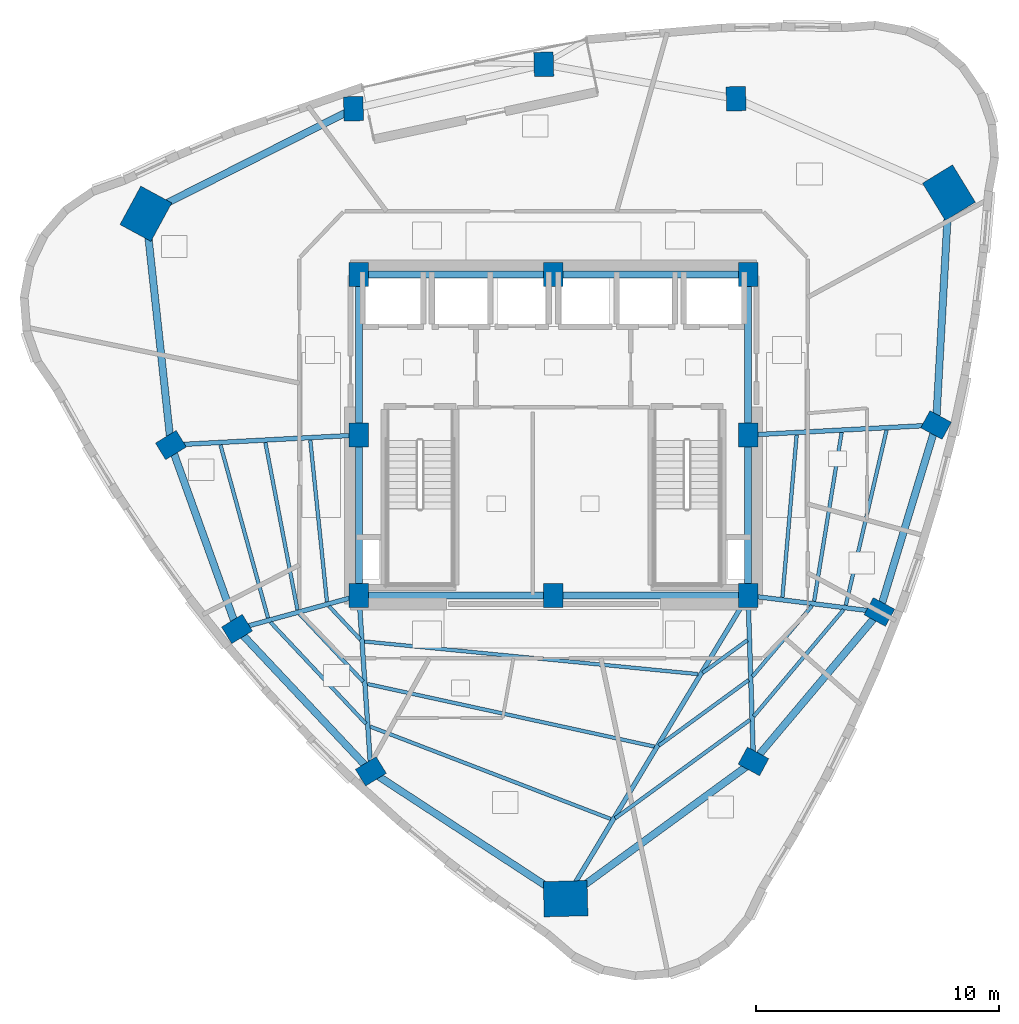
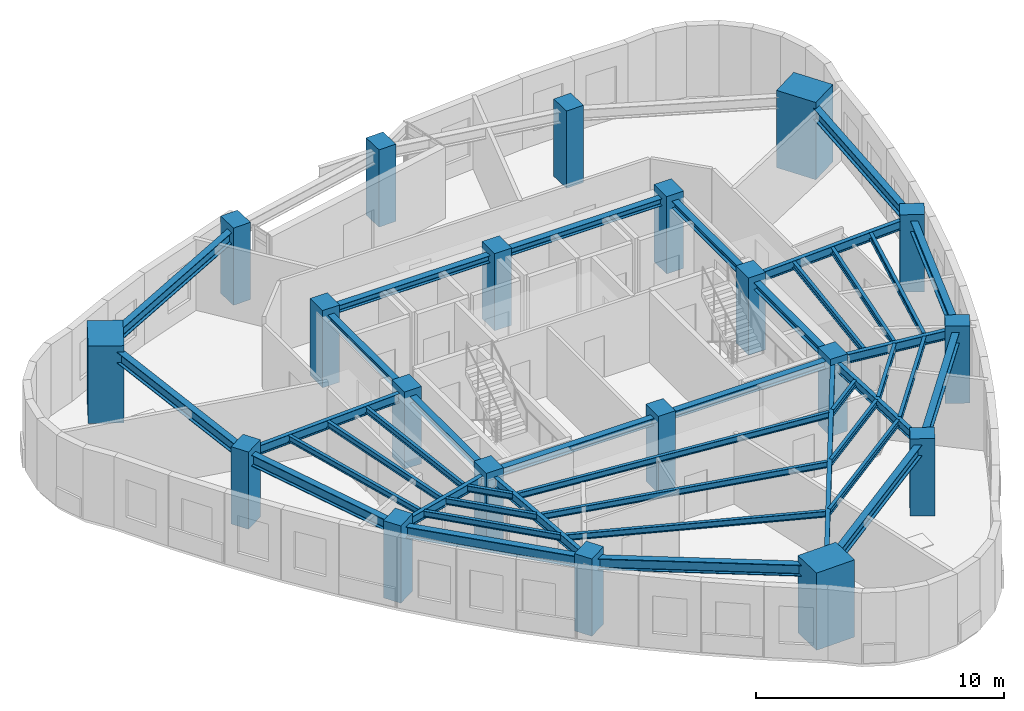
# One storey, part 1 of 10: 41 beams, 20 columns.
"""IFC4 building model written with IfcOpenShell, lengths in metres."""

from ifc_helpers import new_model, si_unit, direction, frame, origin, origin_2d, place, context, subcontext, project, spatial, rectangle, i_section, extrude, material, material_profile, profile_set, type_object, element, save


model = new_model("IFC4")

# Units and contexts
model_context = context("Model", 3, precision=1e-05, world=origin(), true_north=direction((0.0, 1.0)))
body_context = subcontext(model_context, "Body", "Model", "MODEL_VIEW")
ifc_project = project(units=[si_unit("LENGTHUNIT", "METRE"), si_unit("AREAUNIT", "SQUARE_METRE"), si_unit("VOLUMEUNIT", "CUBIC_METRE"), si_unit("PLANEANGLEUNIT", "RADIAN"), si_unit("MASSUNIT", "GRAM", prefix="KILO")], contexts=[model_context])

# Site, building, storey
site_placement = place(None, origin())
site = spatial("IfcSite", under=ifc_project, at=site_placement, CompositionType="ELEMENT")
building_placement = place(site_placement, origin())
building = spatial("IfcBuilding", under=site, at=building_placement, Name="Ndelora Gate Hotel", CompositionType="ELEMENT")
storey_placement = place(building_placement, frame((0.0, 0.0, 251.14990234375)))
storey = spatial("IfcBuildingStorey", under=building, at=storey_placement, Name="L63", CompositionType="ELEMENT", Elevation=251.14990234375)

# Columns
ifc_material_1 = material(Name="Concrete C50/60", Category="concrete")
ifc_material_profile_1 = material_profile(ifc_material_1, rectangle(XDim=0.800048828125, YDim=1.0, at=origin_2d()), Name="RC 1000x800")
ifc_profile_set_1 = profile_set([ifc_material_profile_1], Name="Concrete C50/60")
column_type_1 = type_object("IfcColumnType", Name="COL-CC-HI", PredefinedType="COLUMN", material=ifc_profile_set_1)
for number, where, z_axis, x_axis, name in (
    (1, (-8.0, -6.60009765625, 0.0), (0.0, 0.0, 1.0), (1.0, 0.0, 0.0), "L63 Core Column CC1"),
    (2, (0.0, -6.60009765625, 0.0), (0.0, 0.0, 1.0), (1.0, 0.0, 0.0), "L63 Core Column CC2"),
    (3, (8.0, -6.60009765625, 0.0), (0.0, 0.0, 1.0), (1.0, 0.0, 0.0), "L63 Core Column CC3"),
    (4, (8.0, 0.0, 0.0), (0.0, 0.0, 1.0), (1.0, 0.0, 0.0), "L63 Core Column CC4"),
    (5, (8.0, 6.60009765625, 0.0), (0.0, 0.0, 1.0), (1.0, 0.0, 0.0), "L63 Core Column CC5"),
    (6, (0.0, 6.60009765625, 0.0), (0.0, 0.0, 1.0), (1.0, 0.0, 0.0), "L63 Core Column CC6"),
    (7, (-8.0, 6.60009765625, 0.0), (0.0, 0.0, 1.0), (1.0, 0.0, 0.0), "L63 Core Column CC7"),
    (8, (-8.0, 0.0, 0.0), (0.0, 0.0, 1.0), (1.0, 0.0, 0.0), "L63 Core Column CC8"),
):
    element("IfcColumn", number, at=place(storey_placement, frame(where, z_axis=z_axis, x_axis=x_axis)), inside=storey, type_object=column_type_1, Name=name, PredefinedType="COLUMN", context=body_context, shape_type="SweptSolid", body=[
        extrude(rectangle(XDim=0.800048828125, YDim=1.0, at=origin_2d()), origin(), (0.0, 0.0, 1.0), 3.800048828125),
    ])
ifc_material_profile_2 = material_profile(ifc_material_1, rectangle(XDim=1.449951171875, YDim=1.800048828125, at=origin_2d()), Name="RC 1800x1450")
ifc_profile_set_2 = profile_set([ifc_material_profile_2], Name="Concrete C50/60")
column_type_2 = type_object("IfcColumnType", Name="COL-MC-Z3", PredefinedType="COLUMN", material=ifc_profile_set_2)
for number, where, z_axis, x_axis, name in (
    (9, (-16.759521484375, 9.099609375, 0.0), (0.0, 0.0, 1.0), (-0.878817112662, 0.47715876026, 0.0), "L63 Corner Mega-Column R1"),
    (10, (0.499267578125, -19.064208984375, 0.0), (0.0, 0.0, 1.0), (-0.026176948308, 0.999657324976, 0.0), "L63 Corner Mega-Column R5"),
    (11, (16.26025390625, 9.96435546875, 0.0), (0.0, 0.0, 1.0), (0.852640164354, 0.522498564716, 0.0), "L63 Corner Mega-Column R9"),
):
    element("IfcColumn", number, at=place(storey_placement, frame(where, z_axis=z_axis, x_axis=x_axis)), inside=storey, type_object=column_type_2, Name=name, PredefinedType="COLUMN", context=body_context, shape_type="SweptSolid", body=[
        extrude(rectangle(XDim=1.449951171875, YDim=1.800048828125, at=origin_2d()), origin(), (0.0, 0.0, 1.0), 3.800048828125),
    ])
ifc_material_profile_3 = material_profile(ifc_material_1, rectangle(XDim=0.800048828125, YDim=1.0, at=origin_2d()), Name="RC 1000x800")
ifc_profile_set_3 = profile_set([ifc_material_profile_3], Name="Concrete C50/60")
column_type_3 = type_object("IfcColumnType", Name="COL-PT-Z3", PredefinedType="COLUMN", material=ifc_profile_set_3)
for number, where, z_axis, x_axis, name in (
    (12, (-15.72998046875, -0.411865234375, 0.0), (0.0, 0.0, 1.0), (-0.522498564716, 0.852640164354, 0.0), "L63 Perimeter Tube Column R2"),
    (13, (-13.011962890625, -7.973876953125, 0.0), (0.0, 0.0, 1.0), (-0.522498564716, 0.852640164354, 0.0), "L63 Perimeter Tube Column R3"),
    (14, (-7.50830078125, -13.828369140625, 0.0), (0.0, 0.0, 1.0), (-0.522498564716, 0.852640164354, 0.0), "L63 Perimeter Tube Column R4"),
    (15, (8.223876953125, -13.419921875, 0.0), (0.0, 0.0, 1.0), (0.47715876026, 0.878817112662, 0.0), "L63 Perimeter Tube Column R6"),
    (16, (13.400390625, -7.275634765625, 0.0), (0.0, 0.0, 1.0), (0.47715876026, 0.878817112662, 0.0), "L63 Perimeter Tube Column R7"),
    (17, (15.72998046875, 0.411865234375, 0.0), (0.0, 0.0, 1.0), (0.47715876026, 0.878817112662, 0.0), "L63 Perimeter Tube Column R8"),
    (18, (7.50830078125, 13.828369140625, 0.0), (0.0, 0.0, 1.0), (0.999657324976, 0.026176948308, 0.0), "L63 Perimeter Tube Column R10"),
    (19, (-0.399169921875, 15.242919921875, 0.0), (0.0, 0.0, 1.0), (0.999657324976, 0.026176948308, 0.0), "L63 Perimeter Tube Column R11"),
    (20, (-8.2216796875, 13.41650390625, 0.0), (0.0, 0.0, 1.0), (0.999657324976, 0.026176948308, 0.0), "L63 Perimeter Tube Column R12"),
):
    element("IfcColumn", number, at=place(storey_placement, frame(where, z_axis=z_axis, x_axis=x_axis)), inside=storey, type_object=column_type_3, Name=name, PredefinedType="COLUMN", context=body_context, shape_type="SweptSolid", body=[
        extrude(rectangle(XDim=0.800048828125, YDim=1.0, at=origin_2d()), origin(), (0.0, 0.0, 1.0), 3.800048828125),
    ])

# Beams
ifc_material_2 = material(Name="Steel S355", Category="steel")
ifc_material_profile_4 = material_profile(ifc_material_2, i_section(OverallWidth=0.300048828125, OverallDepth=0.35009765625, WebThickness=0.010009765625, FlangeThickness=0.017578125, FilletRadius=0.027099609375, at=origin_2d()), Name="HEA 360")
ifc_profile_set_4 = profile_set([ifc_material_profile_4], Name="Steel S355")
beam_type_1 = type_object("IfcBeamType", Name="BM-CORE-350", PredefinedType="BEAM", material=ifc_profile_set_4)
for number, where, z_axis, x_axis, name in (
    (21, (-8.0, 6.60009765625, 3.315185546875), (1.0, 0.0, 0.0), (0.0, 1.0, 0.0), "L63 Core Tie Girder CC7-CC6"),
    (22, (0.0, 6.60009765625, 3.315185546875), (1.0, 0.0, 0.0), (0.0, 1.0, 0.0), "L63 Core Tie Girder CC6-CC5"),
):
    element("IfcBeam", number, at=place(storey_placement, frame(where, z_axis=z_axis, x_axis=x_axis)), inside=storey, type_object=beam_type_1, Name=name, PredefinedType="BEAM", context=body_context, shape_type="SweptSolid", body=[
        extrude(i_section(OverallWidth=0.300048828125, OverallDepth=0.35009765625, WebThickness=0.010009765625, FlangeThickness=0.017578125, FilletRadius=0.027099609375, at=origin_2d()), origin(), (0.0, 0.0, 1.0), 8.0),
    ])
for number, where, z_axis, x_axis, name in (
    (23, (-8.0, -6.60009765625, 3.315185546875), (0.0, 1.0, 0.0), (-1.0, 0.0, 0.0), "L63 Core Tie Girder CC1-CC8"),
    (24, (-8.0, 0.0, 3.315185546875), (0.0, 1.0, 0.0), (-1.0, 0.0, 0.0), "L63 Core Tie Girder CC8-CC7"),
    (25, (8.0, -6.60009765625, 3.315185546875), (0.0, 1.0, 0.0), (-1.0, 0.0, 0.0), "L63 Core Tie Girder CC3-CC4"),
    (26, (8.0, 0.0, 3.315185546875), (0.0, 1.0, 0.0), (-1.0, 0.0, 0.0), "L63 Core Tie Girder CC4-CC5"),
):
    element("IfcBeam", number, at=place(storey_placement, frame(where, z_axis=z_axis, x_axis=x_axis)), inside=storey, type_object=beam_type_1, Name=name, PredefinedType="BEAM", context=body_context, shape_type="SweptSolid", body=[
        extrude(i_section(OverallWidth=0.300048828125, OverallDepth=0.35009765625, WebThickness=0.010009765625, FlangeThickness=0.017578125, FilletRadius=0.027099609375, at=origin_2d()), origin(), (0.0, 0.0, 1.0), 6.60009765625),
    ])
for number, where, z_axis, x_axis, name in (
    (27, (-8.0, -6.60009765625, 3.315185546875), (1.0, 0.0, 0.0), (0.0, 1.0, 0.0), "L63 Core Tie Girder CC1-CC2"),
    (28, (0.0, -6.60009765625, 3.315185546875), (1.0, 0.0, 0.0), (0.0, 1.0, 0.0), "L63 Core Tie Girder CC2-CC3"),
):
    element("IfcBeam", number, at=place(storey_placement, frame(where, z_axis=z_axis, x_axis=x_axis)), inside=storey, type_object=beam_type_1, Name=name, PredefinedType="BEAM", context=body_context, shape_type="SweptSolid", body=[
        extrude(i_section(OverallWidth=0.300048828125, OverallDepth=0.35009765625, WebThickness=0.010009765625, FlangeThickness=0.017578125, FilletRadius=0.027099609375, at=origin_2d()), origin(), (0.0, 0.0, 1.0), 8.0),
    ])
ifc_material_profile_5 = material_profile(ifc_material_2, i_section(OverallWidth=0.14990234375, OverallDepth=0.300048828125, WebThickness=0.007080078125, FlangeThickness=0.0107421875, FilletRadius=0.014892578125, at=origin_2d()), Name="IPE 300")
ifc_profile_set_5 = profile_set([ifc_material_profile_5], Name="Steel S355")
beam_type_2 = type_object("IfcBeamType", Name="BM-JST-300", PredefinedType="JOIST", material=ifc_profile_set_5)
beam_1_placement = place(storey_placement, frame((-9.9990234375, -0.21142578125, 3.340087890625), z_axis=(0.10260596827, -0.994722079415, 0.0), x_axis=(0.994722079415, 0.10260596827, 0.0)))
element("IfcBeam", 29, at=beam_1_placement, inside=storey, type_object=beam_type_2, Name="L63 Secondary Composite Floor Joist IN-2", PredefinedType="JOIST", context=body_context, shape_type="SweptSolid", body=[
    extrude(i_section(OverallWidth=0.14990234375, OverallDepth=0.300048828125, WebThickness=0.007080078125, FlangeThickness=0.0107421875, FilletRadius=0.014892578125, at=origin_2d()), origin(), (0.0, 0.0, 1.0), 6.676513671875),
])
beam_2_placement = place(storey_placement, frame((-11.84521484375, -0.30908203125, 3.340087890625), z_axis=(0.188470955684, -0.982078764083, 0.0), x_axis=(0.982078764083, 0.188470955684, 0.0)))
element("IfcBeam", 30, at=beam_2_placement, inside=storey, type_object=beam_type_2, Name="L63 Secondary Composite Floor Joist MID-2", PredefinedType="JOIST", context=body_context, shape_type="SweptSolid", body=[
    extrude(i_section(OverallWidth=0.14990234375, OverallDepth=0.300048828125, WebThickness=0.007080078125, FlangeThickness=0.0107421875, FilletRadius=0.014892578125, at=origin_2d()), origin(), (0.0, 0.0, 1.0), 7.000244140625),
])
beam_3_placement = place(storey_placement, frame((-13.6923828125, -0.406005859375, 3.340087890625), z_axis=(0.2652180483, -0.964188460238, 0.0), x_axis=(0.964188460238, 0.2652180483, 0.0)))
element("IfcBeam", 31, at=beam_3_placement, inside=storey, type_object=beam_type_2, Name="L63 Secondary Composite Floor Joist OUT-2", PredefinedType="JOIST", context=body_context, shape_type="SweptSolid", body=[
    extrude(i_section(OverallWidth=0.14990234375, OverallDepth=0.300048828125, WebThickness=0.007080078125, FlangeThickness=0.0107421875, FilletRadius=0.014892578125, at=origin_2d()), origin(), (0.0, 0.0, 1.0), 7.37353515625),
])
beam_4_placement = place(storey_placement, frame((-9.231201171875, -7.03369140625, 3.340087890625), z_axis=(0.684943115963, -0.728596546722, 0.0), x_axis=(0.728596546722, 0.684943115963, 0.0)))
element("IfcBeam", 32, at=beam_4_placement, inside=storey, type_object=beam_type_2, Name="L63 Secondary Composite Floor Joist IN-3", PredefinedType="JOIST", context=body_context, shape_type="SweptSolid", body=[
    extrude(i_section(OverallWidth=0.14990234375, OverallDepth=0.300048828125, WebThickness=0.007080078125, FlangeThickness=0.0107421875, FilletRadius=0.014892578125, at=origin_2d()), origin(), (0.0, 0.0, 1.0), 1.879150390625),
])
beam_5_placement = place(storey_placement, frame((-10.43408203125, -7.36328125, 3.340087890625), z_axis=(0.684938600536, -0.728600791584, 0.0), x_axis=(0.728600791584, 0.684938600536, 0.0)))
element("IfcBeam", 33, at=beam_5_placement, inside=storey, type_object=beam_type_2, Name="L63 Secondary Composite Floor Joist MID-3", PredefinedType="JOIST", context=body_context, shape_type="SweptSolid", body=[
    extrude(i_section(OverallWidth=0.14990234375, OverallDepth=0.300048828125, WebThickness=0.007080078125, FlangeThickness=0.0107421875, FilletRadius=0.014892578125, at=origin_2d()), origin(), (0.0, 0.0, 1.0), 3.807861328125),
])
beam_6_placement = place(storey_placement, frame((-11.636962890625, -7.693115234375, 3.340087890625), z_axis=(0.68493576734, -0.728603454986, 0.0), x_axis=(0.728603454986, 0.68493576734, 0.0)))
element("IfcBeam", 34, at=beam_6_placement, inside=storey, type_object=beam_type_2, Name="L63 Secondary Composite Floor Joist OUT-3", PredefinedType="JOIST", context=body_context, shape_type="SweptSolid", body=[
    extrude(i_section(OverallWidth=0.14990234375, OverallDepth=0.300048828125, WebThickness=0.007080078125, FlangeThickness=0.0107421875, FilletRadius=0.014892578125, at=origin_2d()), origin(), (0.0, 0.0, 1.0), 5.736328125),
])
beam_7_placement = place(storey_placement, frame((-7.767578125, -8.489501953125, 3.340087890625), z_axis=(0.995253727902, -0.097314012848, 0.0), x_axis=(0.097314012848, 0.995253727902, 0.0)))
element("IfcBeam", 35, at=beam_7_placement, inside=storey, type_object=beam_type_2, Name="L63 Secondary Composite Floor Joist IN-4", PredefinedType="JOIST", context=body_context, shape_type="SweptSolid", body=[
    extrude(i_section(OverallWidth=0.14990234375, OverallDepth=0.300048828125, WebThickness=0.007080078125, FlangeThickness=0.0107421875, FilletRadius=0.014892578125, at=origin_2d()), origin(), (0.0, 0.0, 1.0), 13.7783203125),
])
beam_8_placement = place(storey_placement, frame((-7.651611328125, -10.236572265625, 3.340087890625), z_axis=(0.977032906758, -0.213088477191, 0.0), x_axis=(0.213088477191, 0.977032906758, 0.0)))
element("IfcBeam", 36, at=beam_8_placement, inside=storey, type_object=beam_type_2, Name="L63 Secondary Composite Floor Joist MID-4", PredefinedType="JOIST", context=body_context, shape_type="SweptSolid", body=[
    extrude(i_section(OverallWidth=0.14990234375, OverallDepth=0.300048828125, WebThickness=0.007080078125, FlangeThickness=0.0107421875, FilletRadius=0.014892578125, at=origin_2d()), origin(), (0.0, 0.0, 1.0), 12.075927734375),
])
beam_9_placement = place(storey_placement, frame((-7.5380859375, -11.98681640625, 3.340087890625), z_axis=(0.933489266504, -0.358605339227, 0.0), x_axis=(0.358605339227, 0.933489266504, 0.0)))
element("IfcBeam", 37, at=beam_9_placement, inside=storey, type_object=beam_type_2, Name="L63 Secondary Composite Floor Joist OUT-4", PredefinedType="JOIST", context=body_context, shape_type="SweptSolid", body=[
    extrude(i_section(OverallWidth=0.14990234375, OverallDepth=0.300048828125, WebThickness=0.007080078125, FlangeThickness=0.0107421875, FilletRadius=0.014892578125, at=origin_2d()), origin(), (0.0, 0.0, 1.0), 10.593994140625),
])
beam_10_placement = place(storey_placement, frame((6.134521484375, -9.77880859375, 3.340087890625), z_axis=(0.80739897839, 0.590005838696, 0.0), x_axis=(-0.590005838696, 0.80739897839, 0.0)))
element("IfcBeam", 38, at=beam_10_placement, inside=storey, type_object=beam_type_2, Name="L63 Secondary Composite Floor Joist IN-5", PredefinedType="JOIST", context=body_context, shape_type="SweptSolid", body=[
    extrude(i_section(OverallWidth=0.14990234375, OverallDepth=0.300048828125, WebThickness=0.007080078125, FlangeThickness=0.0107421875, FilletRadius=0.014892578125, at=origin_2d()), origin(), (0.0, 0.0, 1.0), 2.277587890625),
])
beam_11_placement = place(storey_placement, frame((4.33447265625, -12.77001953125, 3.340087890625), z_axis=(0.807439047151, 0.589951002318, 0.0), x_axis=(-0.589951002318, 0.807439047151, 0.0)))
element("IfcBeam", 39, at=beam_11_placement, inside=storey, type_object=beam_type_2, Name="L63 Secondary Composite Floor Joist MID-5", PredefinedType="JOIST", context=body_context, shape_type="SweptSolid", body=[
    extrude(i_section(OverallWidth=0.14990234375, OverallDepth=0.300048828125, WebThickness=0.007080078125, FlangeThickness=0.0107421875, FilletRadius=0.014892578125, at=origin_2d()), origin(), (0.0, 0.0, 1.0), 4.5732421875),
])
beam_12_placement = place(storey_placement, frame((2.5341796875, -15.761474609375, 3.340087890625), z_axis=(0.807430841486, 0.589962232874, 0.0), x_axis=(-0.589962232874, 0.807430841486, 0.0)))
element("IfcBeam", 40, at=beam_12_placement, inside=storey, type_object=beam_type_2, Name="L63 Secondary Composite Floor Joist OUT-5", PredefinedType="JOIST", context=body_context, shape_type="SweptSolid", body=[
    extrude(i_section(OverallWidth=0.14990234375, OverallDepth=0.300048828125, WebThickness=0.007080078125, FlangeThickness=0.0107421875, FilletRadius=0.014892578125, at=origin_2d()), origin(), (0.0, 0.0, 1.0), 6.869384765625),
])
beam_13_placement = place(storey_placement, frame((8.1796875, -9.9296875, 3.340087890625), z_axis=(0.644319387893, 0.764756514444, 0.0), x_axis=(-0.764756514444, 0.644319387893, 0.0)))
element("IfcBeam", 41, at=beam_13_placement, inside=storey, type_object=beam_type_2, Name="L63 Secondary Composite Floor Joist MID-6", PredefinedType="JOIST", context=body_context, shape_type="SweptSolid", body=[
    extrude(i_section(OverallWidth=0.14990234375, OverallDepth=0.300048828125, WebThickness=0.007080078125, FlangeThickness=0.0107421875, FilletRadius=0.014892578125, at=origin_2d()), origin(), (0.0, 0.0, 1.0), 3.806884765625),
])
beam_14_placement = place(storey_placement, frame((8.2333984375, -11.56640625, 3.340087890625), z_axis=(0.644324492463, 0.764752213735, 0.0), x_axis=(-0.764752213735, 0.644324492463, 0.0)))
element("IfcBeam", 42, at=beam_14_placement, inside=storey, type_object=beam_type_2, Name="L63 Secondary Composite Floor Joist OUT-6", PredefinedType="JOIST", context=body_context, shape_type="SweptSolid", body=[
    extrude(i_section(OverallWidth=0.14990234375, OverallDepth=0.300048828125, WebThickness=0.007080078125, FlangeThickness=0.0107421875, FilletRadius=0.014892578125, at=origin_2d()), origin(), (0.0, 0.0, 1.0), 5.735107421875),
])
beam_15_placement = place(storey_placement, frame((9.413330078125, -6.671142578125, 3.340087890625), z_axis=(0.087643872384, 0.996151871771, 0.0), x_axis=(-0.996151871771, 0.087643872384, 0.0)))
element("IfcBeam", 43, at=beam_15_placement, inside=storey, type_object=beam_type_2, Name="L63 Secondary Composite Floor Joist IN-7", PredefinedType="JOIST", context=body_context, shape_type="SweptSolid", body=[
    extrude(i_section(OverallWidth=0.14990234375, OverallDepth=0.300048828125, WebThickness=0.007080078125, FlangeThickness=0.0107421875, FilletRadius=0.014892578125, at=origin_2d()), origin(), (0.0, 0.0, 1.0), 6.699462890625),
])
beam_16_placement = place(storey_placement, frame((10.717041015625, -6.834228515625, 3.340087890625), z_axis=(0.160939239626, 0.986964316046, 0.0), x_axis=(-0.986964316046, 0.160939239626, 0.0)))
element("IfcBeam", 44, at=beam_16_placement, inside=storey, type_object=beam_type_2, Name="L63 Secondary Composite Floor Joist MID-7", PredefinedType="JOIST", context=body_context, shape_type="SweptSolid", body=[
    extrude(i_section(OverallWidth=0.14990234375, OverallDepth=0.300048828125, WebThickness=0.007080078125, FlangeThickness=0.0107421875, FilletRadius=0.014892578125, at=origin_2d()), origin(), (0.0, 0.0, 1.0), 7.028076171875),
])
beam_17_placement = place(storey_placement, frame((12.02001953125, -6.997802734375, 3.340087890625), z_axis=(0.22674518397, 0.973954116756, 0.0), x_axis=(-0.973954116756, 0.22674518397, 0.0)))
element("IfcBeam", 45, at=beam_17_placement, inside=storey, type_object=beam_type_2, Name="L63 Secondary Composite Floor Joist OUT-7", PredefinedType="JOIST", context=body_context, shape_type="SweptSolid", body=[
    extrude(i_section(OverallWidth=0.14990234375, OverallDepth=0.300048828125, WebThickness=0.007080078125, FlangeThickness=0.0107421875, FilletRadius=0.014892578125, at=origin_2d()), origin(), (0.0, 0.0, 1.0), 7.392822265625),
])
ifc_material_profile_6 = material_profile(ifc_material_2, i_section(OverallWidth=0.18994140625, OverallDepth=0.449951171875, WebThickness=0.009521484375, FlangeThickness=0.0146484375, FilletRadius=0.02099609375, at=origin_2d()), Name="IPE 450")
ifc_profile_set_6 = profile_set([ifc_material_profile_6], Name="Steel S355")
beam_type_3 = type_object("IfcBeamType", Name="BM-RAD-450", PredefinedType="BEAM", material=ifc_profile_set_6)
beam_18_placement = place(storey_placement, frame((-8.0, 0.0, 3.26513671875), z_axis=(-0.998583554121, -0.053206065814, 0.0), x_axis=(0.053206065814, -0.998583554121, 0.0)))
element("IfcBeam", 46, at=beam_18_placement, inside=storey, type_object=beam_type_3, Name="L63 Radial Floor Girder 2", PredefinedType="BEAM", context=body_context, shape_type="SweptSolid", body=[
    extrude(i_section(OverallWidth=0.18994140625, OverallDepth=0.449951171875, WebThickness=0.009521484375, FlangeThickness=0.0146484375, FilletRadius=0.02099609375, at=origin_2d()), origin(), (0.0, 0.0, 1.0), 7.740966796875),
])
beam_19_placement = place(storey_placement, frame((-8.0, -6.60009765625, 3.26513671875), z_axis=(-0.96442695542, -0.264349480157, 0.0), x_axis=(0.264349480157, -0.96442695542, 0.0)))
element("IfcBeam", 47, at=beam_19_placement, inside=storey, type_object=beam_type_3, Name="L63 Radial Floor Girder 3", PredefinedType="BEAM", context=body_context, shape_type="SweptSolid", body=[
    extrude(i_section(OverallWidth=0.18994140625, OverallDepth=0.449951171875, WebThickness=0.009521484375, FlangeThickness=0.0146484375, FilletRadius=0.02099609375, at=origin_2d()), origin(), (0.0, 0.0, 1.0), 5.19677734375),
])
beam_20_placement = place(storey_placement, frame((-8.0, -6.60009765625, 3.26513671875), z_axis=(0.067867612113, -0.997694335569, 0.0), x_axis=(0.997694335569, 0.067867612113, 0.0)))
element("IfcBeam", 48, at=beam_20_placement, inside=storey, type_object=beam_type_3, Name="L63 Radial Floor Girder 4", PredefinedType="BEAM", context=body_context, shape_type="SweptSolid", body=[
    extrude(i_section(OverallWidth=0.18994140625, OverallDepth=0.449951171875, WebThickness=0.009521484375, FlangeThickness=0.0146484375, FilletRadius=0.02099609375, at=origin_2d()), origin(), (0.0, 0.0, 1.0), 7.244873046875),
])
beam_21_placement = place(storey_placement, frame((8.0, -6.60009765625, 3.26513671875), z_axis=(-0.515620753203, -0.856816922607, 0.0), x_axis=(0.856816922607, -0.515620753203, 0.0)))
element("IfcBeam", 49, at=beam_21_placement, inside=storey, type_object=beam_type_3, Name="L63 Radial Floor Girder 5", PredefinedType="BEAM", context=body_context, shape_type="SweptSolid", body=[
    extrude(i_section(OverallWidth=0.18994140625, OverallDepth=0.449951171875, WebThickness=0.009521484375, FlangeThickness=0.0146484375, FilletRadius=0.02099609375, at=origin_2d()), origin(), (0.0, 0.0, 1.0), 14.546875),
])
beam_22_placement = place(storey_placement, frame((8.0, -6.60009765625, 3.26513671875), z_axis=(0.032809705109, -0.999461616697, 0.0), x_axis=(0.999461616697, 0.032809705109, 0.0)))
element("IfcBeam", 50, at=beam_22_placement, inside=storey, type_object=beam_type_3, Name="L63 Radial Floor Girder 6", PredefinedType="BEAM", context=body_context, shape_type="SweptSolid", body=[
    extrude(i_section(OverallWidth=0.18994140625, OverallDepth=0.449951171875, WebThickness=0.009521484375, FlangeThickness=0.0146484375, FilletRadius=0.02099609375, at=origin_2d()), origin(), (0.0, 0.0, 1.0), 6.823486328125),
])
beam_23_placement = place(storey_placement, frame((8.0, -6.60009765625, 3.26513671875), z_axis=(0.992266830725, -0.124123070552, 0.0), x_axis=(0.124123070552, 0.992266830725, 0.0)))
element("IfcBeam", 51, at=beam_23_placement, inside=storey, type_object=beam_type_3, Name="L63 Radial Floor Girder 7", PredefinedType="BEAM", context=body_context, shape_type="SweptSolid", body=[
    extrude(i_section(OverallWidth=0.18994140625, OverallDepth=0.449951171875, WebThickness=0.009521484375, FlangeThickness=0.0146484375, FilletRadius=0.02099609375, at=origin_2d()), origin(), (0.0, 0.0, 1.0), 5.4423828125),
])
beam_24_placement = place(storey_placement, frame((8.0, 0.0, 3.26513671875), z_axis=(0.998583554121, 0.053206065814, 0.0), x_axis=(-0.053206065814, 0.998583554121, 0.0)))
element("IfcBeam", 52, at=beam_24_placement, inside=storey, type_object=beam_type_3, Name="L63 Radial Floor Girder 8", PredefinedType="BEAM", context=body_context, shape_type="SweptSolid", body=[
    extrude(i_section(OverallWidth=0.18994140625, OverallDepth=0.449951171875, WebThickness=0.009521484375, FlangeThickness=0.0146484375, FilletRadius=0.02099609375, at=origin_2d()), origin(), (0.0, 0.0, 1.0), 7.740966796875),
])
ifc_material_profile_7 = material_profile(ifc_material_2, i_section(OverallWidth=0.300048828125, OverallDepth=0.550048828125, WebThickness=0.014892578125, FlangeThickness=0.029052734375, FilletRadius=0.027099609375, at=origin_2d()), Name="HEB 550")
ifc_profile_set_7 = profile_set([ifc_material_profile_7], Name="Steel S355")
beam_type_4 = type_object("IfcBeamType", Name="BM-RING-550", PredefinedType="SPANDREL", material=ifc_profile_set_7)
beam_25_placement = place(storey_placement, frame((-16.759521484375, 9.099609375, 3.215087890625), z_axis=(0.107613416645, -0.994192814578, 0.0), x_axis=(0.994192814578, 0.107613416645, 0.0)))
element("IfcBeam", 53, at=beam_25_placement, inside=storey, type_object=beam_type_4, Name="L63 Perimeter Spandrel Girder 1", PredefinedType="SPANDREL", context=body_context, shape_type="SweptSolid", body=[
    extrude(i_section(OverallWidth=0.300048828125, OverallDepth=0.550048828125, WebThickness=0.014892578125, FlangeThickness=0.029052734375, FilletRadius=0.027099609375, at=origin_2d()), origin(), (0.0, 0.0, 1.0), 9.567138671875),
])
beam_26_placement = place(storey_placement, frame((-15.72998046875, -0.411865234375, 3.215087890625), z_axis=(0.338244972382, -0.941058095262, 0.0), x_axis=(0.941058095262, 0.338244972382, 0.0)))
element("IfcBeam", 54, at=beam_26_placement, inside=storey, type_object=beam_type_4, Name="L63 Perimeter Spandrel Girder 2", PredefinedType="SPANDREL", context=body_context, shape_type="SweptSolid", body=[
    extrude(i_section(OverallWidth=0.300048828125, OverallDepth=0.550048828125, WebThickness=0.014892578125, FlangeThickness=0.029052734375, FilletRadius=0.027099609375, at=origin_2d()), origin(), (0.0, 0.0, 1.0), 8.03564453125),
])
beam_27_placement = place(storey_placement, frame((-13.011962890625, -7.973876953125, 3.215087890625), z_axis=(0.684939043371, -0.728600375285, 0.0), x_axis=(0.728600375285, 0.684939043371, 0.0)))
element("IfcBeam", 55, at=beam_27_placement, inside=storey, type_object=beam_type_4, Name="L63 Perimeter Spandrel Girder 3", PredefinedType="SPANDREL", context=body_context, shape_type="SweptSolid", body=[
    extrude(i_section(OverallWidth=0.300048828125, OverallDepth=0.550048828125, WebThickness=0.014892578125, FlangeThickness=0.029052734375, FilletRadius=0.027099609375, at=origin_2d()), origin(), (0.0, 0.0, 1.0), 8.03515625),
])
beam_28_placement = place(storey_placement, frame((-7.50830078125, -13.828369140625, 3.215087890625), z_axis=(0.836963769915, -0.547258300851, 0.0), x_axis=(0.547258300851, 0.836963769915, 0.0)))
element("IfcBeam", 56, at=beam_28_placement, inside=storey, type_object=beam_type_4, Name="L63 Perimeter Spandrel Girder 4", PredefinedType="SPANDREL", context=body_context, shape_type="SweptSolid", body=[
    extrude(i_section(OverallWidth=0.300048828125, OverallDepth=0.550048828125, WebThickness=0.014892578125, FlangeThickness=0.029052734375, FilletRadius=0.027099609375, at=origin_2d()), origin(), (0.0, 0.0, 1.0), 9.5673828125),
])
beam_29_placement = place(storey_placement, frame((0.499267578125, -19.064208984375, 3.215087890625), z_axis=(0.807421980226, 0.58997436033, 0.0), x_axis=(-0.58997436033, 0.807421980226, 0.0)))
element("IfcBeam", 57, at=beam_29_placement, inside=storey, type_object=beam_type_4, Name="L63 Perimeter Spandrel Girder 5", PredefinedType="SPANDREL", context=body_context, shape_type="SweptSolid", body=[
    extrude(i_section(OverallWidth=0.300048828125, OverallDepth=0.550048828125, WebThickness=0.014892578125, FlangeThickness=0.029052734375, FilletRadius=0.027099609375, at=origin_2d()), origin(), (0.0, 0.0, 1.0), 9.56689453125),
])
beam_30_placement = place(storey_placement, frame((8.223876953125, -13.419921875, 3.215087890625), z_axis=(0.644308845181, 0.764765396721, 0.0), x_axis=(-0.764765396721, 0.644308845181, 0.0)))
element("IfcBeam", 58, at=beam_30_placement, inside=storey, type_object=beam_type_4, Name="L63 Perimeter Spandrel Girder 6", PredefinedType="SPANDREL", context=body_context, shape_type="SweptSolid", body=[
    extrude(i_section(OverallWidth=0.300048828125, OverallDepth=0.550048828125, WebThickness=0.014892578125, FlangeThickness=0.029052734375, FilletRadius=0.027099609375, at=origin_2d()), origin(), (0.0, 0.0, 1.0), 8.0341796875),
])
beam_31_placement = place(storey_placement, frame((13.400390625, -7.275634765625, 3.215087890625), z_axis=(0.290012456561, 0.957022870698, 0.0), x_axis=(-0.957022870698, 0.290012456561, 0.0)))
element("IfcBeam", 59, at=beam_31_placement, inside=storey, type_object=beam_type_4, Name="L63 Perimeter Spandrel Girder 7", PredefinedType="SPANDREL", context=body_context, shape_type="SweptSolid", body=[
    extrude(i_section(OverallWidth=0.300048828125, OverallDepth=0.550048828125, WebThickness=0.014892578125, FlangeThickness=0.029052734375, FilletRadius=0.027099609375, at=origin_2d()), origin(), (0.0, 0.0, 1.0), 8.03271484375),
])
for number, where, z_axis, x_axis, name in (
    (60, (15.72998046875, 0.411865234375, 3.215087890625), (0.055426206248, 0.998462786318, 0.0), (-0.998462786318, 0.055426206248, 0.0), "L63 Perimeter Spandrel Girder 8"),
    (61, (-8.2216796875, 13.41650390625, 3.215087890625), (-0.89241242978, -0.451220628045, 0.0), (0.451220628045, -0.89241242978, 0.0), "L63 Perimeter Spandrel Girder 12"),
):
    element("IfcBeam", number, at=place(storey_placement, frame(where, z_axis=z_axis, x_axis=x_axis)), inside=storey, type_object=beam_type_4, Name=name, PredefinedType="SPANDREL", context=body_context, shape_type="SweptSolid", body=[
        extrude(i_section(OverallWidth=0.300048828125, OverallDepth=0.550048828125, WebThickness=0.014892578125, FlangeThickness=0.029052734375, FilletRadius=0.027099609375, at=origin_2d()), origin(), (0.0, 0.0, 1.0), 9.567138671875),
    ])

save(model, "model.ifc")
